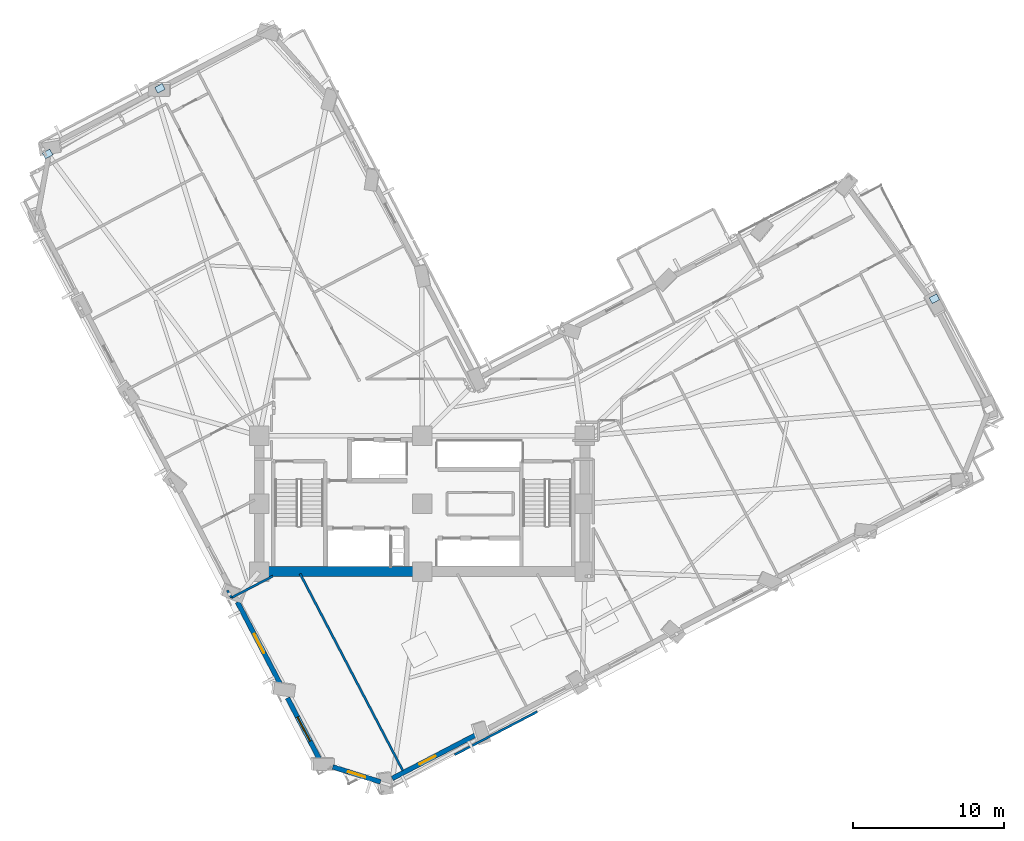
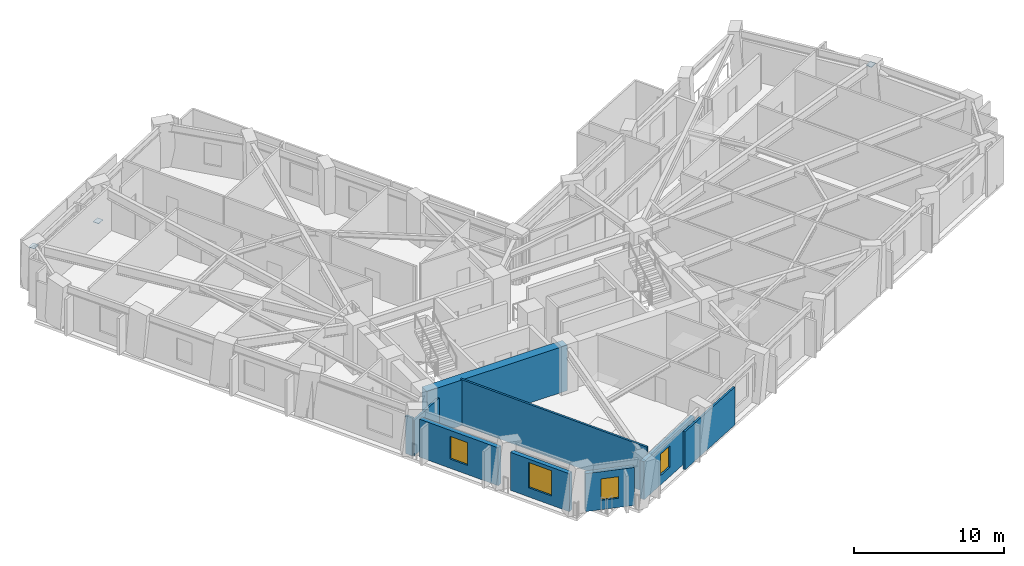
# One storey, part 7 of 16: 9 walls, 4 windows, 3 plates, 4 openings.
"""IFC4 building model written with IfcOpenShell, lengths in metres."""

from ifc_helpers import new_model, si_unit, direction, frame, frame_2d, origin, origin_2d, place, context, subcontext, project, spatial, rectangle, extrude, material, layer, layer_set, type_object, element, fill, save


model = new_model("IFC4")

# Units and contexts
model_context = context("Model", 3, precision=1e-05, world=origin(), true_north=direction((0.0, 1.0)))
body_context = subcontext(model_context, "Body", "Model", "MODEL_VIEW")
ifc_project = project(units=[si_unit("LENGTHUNIT", "METRE"), si_unit("AREAUNIT", "SQUARE_METRE"), si_unit("VOLUMEUNIT", "CUBIC_METRE"), si_unit("PLANEANGLEUNIT", "RADIAN"), si_unit("MASSUNIT", "GRAM", prefix="KILO")], contexts=[model_context])

# Site, building, storey
site_placement = place(None, origin())
site = spatial("IfcSite", under=ifc_project, at=site_placement, CompositionType="ELEMENT")
building_placement = place(site_placement, origin())
building = spatial("IfcBuilding", under=site, at=building_placement, Name="Gaonmaruhae Medical Tower", CompositionType="ELEMENT")
storey_placement = place(building_placement, frame((0.0, 0.0, 140.39990234375)))
storey = spatial("IfcBuildingStorey", under=building, at=storey_placement, Name="L33", CompositionType="ELEMENT", Elevation=140.39990234375)

# Plates
ifc_material_1 = material(Name="Steel HSA650 (650 MPa)", Category="steel")
ifc_layer_1 = layer(ifc_material_1, 0.028076171875)
ifc_layer_set_1 = layer_set([ifc_layer_1], Name="Steel HSA650 (650 MPa)")
plate_type = type_object("IfcPlateType", Name="GP-02 Tube Brace End Cap Gusset Plate", PredefinedType="USERDEFINED", material=ifc_layer_set_1)
for number, where, z_axis, x_axis, name in (
    (1, (58.77783203125, 25.896728515625, 3.43603515625), (0.0, 0.0, 1.0), (0.878817112662, 0.47715876026, 0.0), "L33 Gusset Cap Plate PLT-L33-PBR-E01B"),
    (2, (7.42138671875, 39.84814453125, 0.23583984375), (0.0, 0.0, 1.0), (0.8866075438, 0.462522500293, 0.0), "L33 Gusset Cap Plate PLT-L33-PBR-N02A"),
    (3, (-0.03076171875, 35.499267578125, 3.43603515625), (0.0, 0.0, 1.0), (0.878817112662, 0.47715876026, 0.0), "L33 Gusset Cap Plate PLT-L33-PBR-N02B"),
):
    element("IfcPlate", number, at=place(storey_placement, frame(where, z_axis=z_axis, x_axis=x_axis)), inside=storey, type_object=plate_type, Name=name, ObjectType="GUSSET_PLATE", PredefinedType="USERDEFINED", context=body_context, shape_type="SweptSolid", body=[
        extrude(rectangle(XDim=0.56005859375, YDim=0.43994140625, at=origin_2d()), origin(), (0.0, 0.0, 1.0), 0.028076171875),
    ])

# Wall
ifc_material_2 = material(Name="Concrete C60/75", Category="concrete")
ifc_layer_2 = layer(ifc_material_2, 0.64990234375)
ifc_layer_set_2 = layer_set([ifc_layer_2], Name="Concrete C60/75")
wall_type_1 = type_object("IfcWallType", Name="CW-650 Zone 2 Core Shear Wall", PredefinedType="SHEAR", material=ifc_layer_set_2)
wall_1_placement = place(storey_placement, frame((14.0, 7.800048828125, 0.0), z_axis=(0.0, 0.0, 1.0), x_axis=(1.0, 0.0, 0.0)))
element("IfcWall", 4, at=wall_1_placement, inside=storey, type_object=wall_type_1, Name="L33 Core Shear Wall CSW-S1", PredefinedType="SHEAR", context=body_context, shape_type="SweptSolid", body=[
    extrude(rectangle(XDim=10.800048828125, YDim=0.64990234375, at=frame_2d((5.39990234375, 0.0))), origin(), (0.0, 0.0, 1.0), 3.7001953125),
])

# Wall, opening, window
ifc_material_3 = material(Name="Precast concrete C45/55", Category="concrete")
ifc_layer_3 = layer(ifc_material_3, 0.320068359375)
ifc_layer_set_3 = layer_set([ifc_layer_3], Name="Precast concrete C45/55")
wall_type_2 = type_object("IfcWallType", Name="EW-320 Lower Precast Masonry-Frame Facade Wall", PredefinedType="SOLIDWALL", material=ifc_layer_set_3)
wall_2_placement = place(storey_placement, frame((28.38427734375, -3.0166015625, 0.0), z_axis=(0.0, 0.0, 1.0), x_axis=(-0.886616781259, -0.462504792613, 0.0)))
wall_2 = element("IfcWall", 5, at=wall_2_placement, inside=storey, type_object=wall_type_2, Name="L33 Precast Masonry-Frame Wall S01-S02", PredefinedType="SOLIDWALL", context=body_context, shape_type="SweptSolid", body=[
    extrude(rectangle(XDim=6.27001953125, YDim=0.320068359375, at=frame_2d((3.135009765625, 0.0))), origin(), (0.0, 0.0, 1.0), 3.085205078125),
])
opening_1_placement = place(wall_2_placement, frame((3.044921875, 0.0, 0.75)))
opening_1 = element("IfcOpeningElement", 6, at=opening_1_placement, cuts=wall_2, Name="Opening WN-05", PredefinedType="OPENING", context=body_context, shape_type="SweptSolid", body=[
    extrude(rectangle(XDim=1.199951171875, YDim=1.75, at=frame_2d((0.60009765625, 0.875))), frame((0.0, 0.169921875, 0.0), z_axis=(0.0, -1.0, 0.0), x_axis=(1.0, 0.0, 0.0)), (0.0, 0.0, 1.0), 0.340087890625),
])
ifc_material_4 = material(Name="Anodised aluminium and Low-E double glazing", Category="aluminium")
window_type_1 = type_object("IfcWindowType", Name="WN-05 Support & Staff Punched Window 1200x1750", PartitioningType="SINGLE_PANEL", PredefinedType="WINDOW", material=ifc_material_4)
window_1_placement = place(opening_1_placement, origin())
window_1 = element("IfcWindow", 7, at=window_1_placement, inside=storey, type_object=window_type_1, Name="L33 Modular Facade Window S01", OverallHeight=1.75, OverallWidth=1.199951171875, PartitioningType="SINGLE_PANEL", PredefinedType="WINDOW", context=body_context, shape_type="SweptSolid", body=[
    extrude(rectangle(XDim=1.199951171875, YDim=1.75, at=frame_2d((0.60009765625, 0.875))), frame((0.0, 0.030029296875, 0.0), z_axis=(0.0, -1.0, 0.0), x_axis=(1.0, 0.0, 0.0)), (0.0, 0.0, 1.0), 0.06005859375),
])
fill(opening_1, window_1)

wall_3_placement = place(storey_placement, frame((15.434326171875, 0.27294921875, 0.0), z_axis=(0.0, 0.0, 1.0), x_axis=(-0.462493611838, 0.886622613635, 0.0)))
wall_3 = element("IfcWall", 8, at=wall_3_placement, inside=storey, type_object=wall_type_2, Name="L33 Precast Masonry-Frame Wall W05-W06", PredefinedType="SOLIDWALL", context=body_context, shape_type="SweptSolid", body=[
    extrude(rectangle(XDim=6.2236328125, YDim=0.320068359375, at=frame_2d((3.11181640625, 0.0))), origin(), (0.0, 0.0, 1.0), 3.085205078125),
])
opening_2_placement = place(wall_3_placement, frame((2.414306640625, 0.0, 0.75)))
opening_2 = element("IfcOpeningElement", 9, at=opening_2_placement, cuts=wall_3, Name="Opening WN-03", PredefinedType="OPENING", context=body_context, shape_type="SweptSolid", body=[
    extrude(rectangle(XDim=1.39990234375, YDim=1.85009765625, at=frame_2d((0.699951171875, 0.925048828125))), frame((0.0, 0.169921875, 0.0), z_axis=(0.0, -1.0, 0.0), x_axis=(1.0, 0.0, 0.0)), (0.0, 0.0, 1.0), 0.340087890625),
])
window_type_2 = type_object("IfcWindowType", Name="WN-03 Isolation Ward Punched Window 1400x1850", PartitioningType="SINGLE_PANEL", PredefinedType="WINDOW", material=ifc_material_4)
window_2_placement = place(opening_2_placement, origin())
window_2 = element("IfcWindow", 10, at=window_2_placement, inside=storey, type_object=window_type_2, Name="L33 Modular Facade Window W05", OverallHeight=1.85009765625, OverallWidth=1.39990234375, PartitioningType="SINGLE_PANEL", PredefinedType="WINDOW", context=body_context, shape_type="SweptSolid", body=[
    extrude(rectangle(XDim=1.39990234375, YDim=1.85009765625, at=frame_2d((0.699951171875, 0.925048828125))), frame((0.0, 0.030029296875, 0.0), z_axis=(0.0, -1.0, 0.0), x_axis=(1.0, 0.0, 0.0)), (0.0, 0.0, 1.0), 0.06005859375),
])
fill(opening_2, window_2)

wall_4_placement = place(storey_placement, frame((18.030517578125, -4.70361328125, 0.0), z_axis=(0.0, 0.0, 1.0), x_axis=(-0.462487012523, 0.886626056039, 0.0)))
wall_4 = element("IfcWall", 11, at=wall_4_placement, inside=storey, type_object=wall_type_2, Name="L33 Precast Masonry-Frame Wall W06-W07", PredefinedType="SOLIDWALL", context=body_context, shape_type="SweptSolid", body=[
    extrude(rectangle(XDim=4.6474609375, YDim=0.320068359375, at=frame_2d((2.32373046875, 0.0))), origin(), (0.0, 0.0, 1.0), 3.085205078125),
])
opening_3_placement = place(wall_4_placement, frame((1.427001953125, 0.0, 0.75)))
opening_3 = element("IfcOpeningElement", 12, at=opening_3_placement, cuts=wall_4, Name="Opening WN-04", PredefinedType="OPENING", context=body_context, shape_type="SweptSolid", body=[
    extrude(rectangle(XDim=1.800048828125, YDim=2.050048828125, at=frame_2d((0.89990234375, 1.02490234375))), frame((0.0, 0.169921875, 0.0), z_axis=(0.0, -1.0, 0.0), x_axis=(1.0, 0.0, 0.0)), (0.0, 0.0, 1.0), 0.340087890625),
])
window_type_3 = type_object("IfcWindowType", Name="WN-04 Clinic & Consult Punched Window 1800x2050", PartitioningType="SINGLE_PANEL", PredefinedType="WINDOW", material=ifc_material_4)
window_3_placement = place(opening_3_placement, origin())
window_3 = element("IfcWindow", 13, at=window_3_placement, inside=storey, type_object=window_type_3, Name="L33 Modular Facade Window W06", OverallHeight=2.050048828125, OverallWidth=1.800048828125, PartitioningType="SINGLE_PANEL", PredefinedType="WINDOW", context=body_context, shape_type="SweptSolid", body=[
    extrude(rectangle(XDim=1.800048828125, YDim=2.050048828125, at=frame_2d((0.89990234375, 1.02490234375))), frame((0.0, 0.030029296875, 0.0), z_axis=(0.0, -1.0, 0.0), x_axis=(1.0, 0.0, 0.0)), (0.0, 0.0, 1.0), 0.06005859375),
])
fill(opening_3, window_3)

wall_5_placement = place(storey_placement, frame((22.045654296875, -6.145751953125, 0.0), z_axis=(0.0, 0.0, 1.0), x_axis=(-0.953987111647, 0.299847612649, 0.0)))
wall_5 = element("IfcWall", 14, at=wall_5_placement, inside=storey, type_object=wall_type_2, Name="L33 Precast Masonry-Frame Wall W07-S01", PredefinedType="SOLIDWALL", context=body_context, shape_type="SweptSolid", body=[
    extrude(rectangle(XDim=3.32275390625, YDim=0.320068359375, at=frame_2d((1.661376953125, 0.0))), origin(), (0.0, 0.0, 1.0), 3.085205078125),
])
opening_4_placement = place(wall_5_placement, frame((1.060791015625, 0.0, 0.75)))
opening_4 = element("IfcOpeningElement", 15, at=opening_4_placement, cuts=wall_5, Name="Opening WN-05", PredefinedType="OPENING", context=body_context, shape_type="SweptSolid", body=[
    extrude(rectangle(XDim=1.199951171875, YDim=1.75, at=frame_2d((0.60009765625, 0.875))), frame((0.0, 0.169921875, 0.0), z_axis=(0.0, -1.0, 0.0), x_axis=(1.0, 0.0, 0.0)), (0.0, 0.0, 1.0), 0.340087890625),
])
window_4_placement = place(opening_4_placement, origin())
window_4 = element("IfcWindow", 16, at=window_4_placement, inside=storey, type_object=window_type_1, Name="L33 Modular Facade Window W07", OverallHeight=1.75, OverallWidth=1.199951171875, PartitioningType="SINGLE_PANEL", PredefinedType="WINDOW", context=body_context, shape_type="SweptSolid", body=[
    extrude(rectangle(XDim=1.199951171875, YDim=1.75, at=frame_2d((0.60009765625, 0.875))), frame((0.0, 0.030029296875, 0.0), z_axis=(0.0, -1.0, 0.0), x_axis=(1.0, 0.0, 0.0)), (0.0, 0.0, 1.0), 0.06005859375),
])
fill(opening_4, window_4)

# Walls
ifc_material_5 = material(Name="Gypsum board partition", Category="gypsum")
ifc_layer_4 = layer(ifc_material_5, 0.14990234375)
ifc_layer_set_4 = layer_set([ifc_layer_4], Name="Gypsum board partition")
wall_type_3 = type_object("IfcWallType", Name="PW-150 Rated Clinical Corridor Partition", PredefinedType="PARTITIONING", material=ifc_layer_set_4)
wall_6_placement = place(storey_placement, frame((23.52490234375, -5.39892578125, 0.0), z_axis=(0.0, 0.0, 1.0), x_axis=(-0.462486118374, 0.88662652245, 0.0)))
element("IfcWall", 17, at=wall_6_placement, inside=storey, type_object=wall_type_3, Name="L33 Interior Partition L33-SUP02-5", PredefinedType="PARTITIONING", context=body_context, shape_type="SweptSolid", body=[
    extrude(rectangle(XDim=14.7265625, YDim=0.14990234375, at=frame_2d((7.36328125, 0.0))), origin(), (0.0, 0.0, 1.0), 3.7001953125),
])
wall_7_placement = place(storey_placement, frame((14.902099609375, 7.5, 0.0), z_axis=(0.0, 0.0, 1.0), x_axis=(-0.886610116456, -0.462517568745, 0.0)))
element("IfcWall", 18, at=wall_7_placement, inside=storey, type_object=wall_type_3, Name="L33 Interior Partition L33-WOF11-35", PredefinedType="PARTITIONING", context=body_context, shape_type="SweptSolid", body=[
    extrude(rectangle(XDim=3.1005859375, YDim=0.14990234375, at=frame_2d((1.55029296875, 0.0))), origin(), (0.0, 0.0, 1.0), 2.885009765625),
])
wall_8_placement = place(storey_placement, frame((12.153076171875, 6.06591796875, 0.0), z_axis=(0.0, 0.0, 1.0), x_axis=(-0.462250926038, 0.886749164859, 0.0)))
element("IfcWall", 19, at=wall_8_placement, inside=storey, type_object=wall_type_3, Name="L33 Interior Partition L33-WOF11-36", PredefinedType="PARTITIONING", context=body_context, shape_type="SweptSolid", body=[
    extrude(rectangle(XDim=0.55615234375, YDim=0.14990234375, at=frame_2d((0.278076171875, 0.0))), origin(), (0.0, 0.0, 1.0), 3.085205078125),
])
wall_9_placement = place(storey_placement, frame((32.446044921875, -1.48388671875, 0.0), z_axis=(0.0, 0.0, 1.0), x_axis=(-0.886603833565, -0.462529612359, 0.0)))
element("IfcWall", 20, at=wall_9_placement, inside=storey, type_object=wall_type_3, Name="L33 Interior Partition L33-RM02-99", PredefinedType="PARTITIONING", context=body_context, shape_type="SweptSolid", body=[
    extrude(rectangle(XDim=6.18994140625, YDim=0.14990234375, at=frame_2d((3.094970703125, 0.0))), origin(), (0.0, 0.0, 1.0), 3.085205078125),
])

save(model, "model.ifc")
